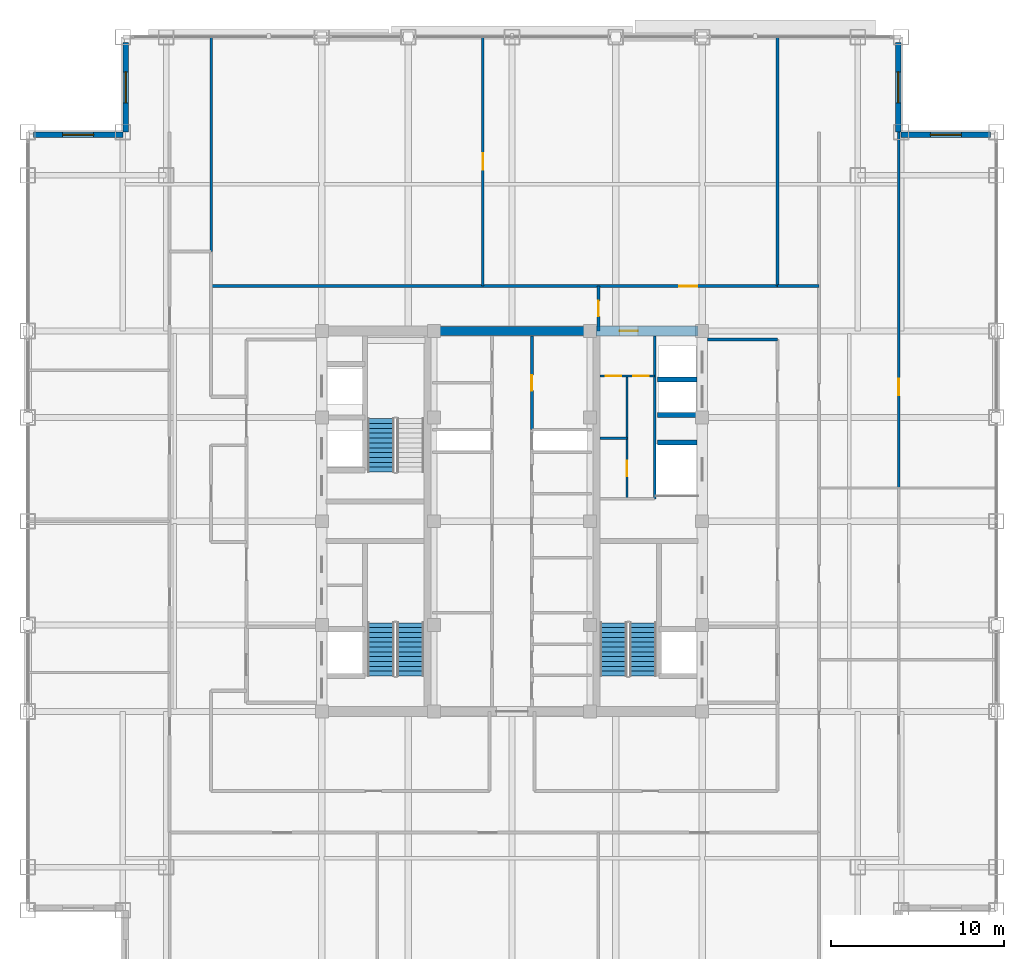
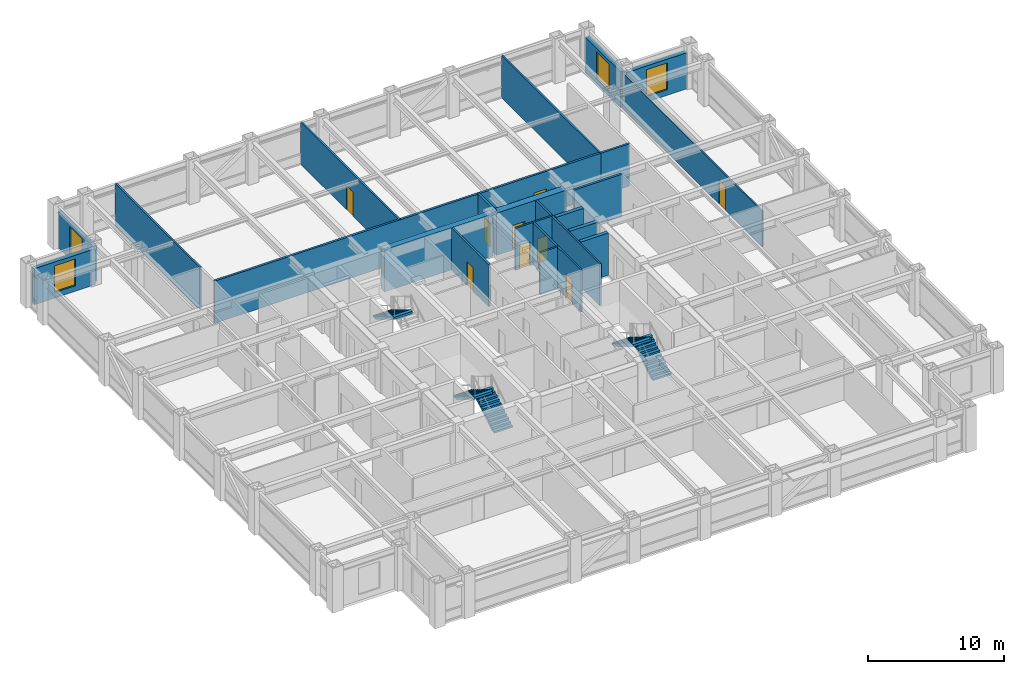
# One storey, part 21 of 27: 22 walls, 9 doors, 5 stair flights, 4 windows, 13 openings, 3 elements without a shape of their own.
"""IFC4 building model written with IfcOpenShell, lengths in metres."""

import ifcopenshell
import ifcopenshell.guid

model = None  # the IFC model being written
_history = None  # IfcOwnerHistory: only IFC2X3 demands one
_inside = {}  # id of a spatial element -> (the spatial element, [elements in it])
_under = {}  # id of a project, library or spatial element -> (it, [spatial elements below it])
_declared = {}  # id of a project -> (the project, [libraries it declares])
_typed = {}  # id of a type object -> (the type object, [elements of that type])
_made_of = {}  # id of a material, layer set ... -> (it, [elements and type objects made of it])


def new_model(schema):
    """Start an empty IFC model of exactly this schema.

    Asked for "IFC4X3", IfcOpenShell would pick the latest addendum, in which some entities
    have other attributes; the version numbers below select the first issue.
    IFC2X3 requires an IfcOwnerHistory on every rooted entity: one is made here for all.
    """
    global model, _history
    if schema == "IFC4X3":
        model = ifcopenshell.file(schema_version=(4, 3, 0, 0))
    else:
        model = ifcopenshell.file(schema=schema)
    _inside.clear()
    _under.clear()
    _declared.clear()
    _typed.clear()
    _made_of.clear()
    _history = None
    if model.schema == "IFC2X3":
        org = make("IfcOrganization", Name="unknown")
        user = make(
            "IfcPersonAndOrganization",
            ThePerson=make("IfcPerson", FamilyName="unknown"),
            TheOrganization=org,
        )
        app = make(
            "IfcApplication",
            ApplicationDeveloper=org,
            Version="unknown",
            ApplicationFullName="unknown",
            ApplicationIdentifier="unknown",
        )
        _history = make(
            "IfcOwnerHistory",
            OwningUser=user,
            OwningApplication=app,
            ChangeAction="ADDED",
            CreationDate=0,
        )
    return model


def make(cls, **values):
    """One entity of the class cls with the attributes given. An attribute that is None is left unset."""
    return model.create_entity(
        cls, **{name: value for name, value in values.items() if value is not None}
    )


def rooted(cls, **values):
    """An entity with a GlobalId (a new one), such as an element, a storey or a relation."""
    return make(cls, GlobalId=ifcopenshell.guid.new(), OwnerHistory=_history, **values)


def si_unit(unit_type, name, prefix=None):
    """IfcSIUnit, for example si_unit("LENGTHUNIT", "METRE", prefix="MILLI")."""
    return make("IfcSIUnit", UnitType=unit_type, Prefix=prefix, Name=name)


def assignment(units):
    """IfcUnitAssignment: the units of a project."""
    return None if units is None else make("IfcUnitAssignment", Units=units)


def point(xyz):
    """IfcCartesianPoint."""
    return None if xyz is None else make("IfcCartesianPoint", Coordinates=xyz)


def direction(xyz):
    """IfcDirection."""
    return None if xyz is None else make("IfcDirection", DirectionRatios=xyz)


def frame(location, z_axis=None, x_axis=None):
    """IfcAxis2Placement3D, a coordinate frame: its origin and axes. An axis left out is left unset."""
    return make(
        "IfcAxis2Placement3D",
        Location=point(location),
        Axis=direction(z_axis),
        RefDirection=direction(x_axis),
    )


def frame_2d(location, x_axis=None):
    """IfcAxis2Placement2D, a coordinate frame in the plane: its origin and x axis."""
    return make(
        "IfcAxis2Placement2D", Location=point(location), RefDirection=direction(x_axis)
    )


def origin():
    """The frame at (0, 0, 0) with its axes left unset."""
    return frame((0.0, 0.0, 0.0))


def place(relative_to, where):
    """IfcLocalPlacement: puts the frame where relative to a parent placement (None: the world)."""
    return make(
        "IfcLocalPlacement", PlacementRelTo=relative_to, RelativePlacement=where
    )


def context(
    kind, dimensions, precision=None, world=None, true_north=None, identifier=None
):
    """IfcGeometricRepresentationContext, for example the 3D "Model" context."""
    return make(
        "IfcGeometricRepresentationContext",
        ContextIdentifier=identifier,
        ContextType=kind,
        CoordinateSpaceDimension=dimensions,
        Precision=precision,
        WorldCoordinateSystem=world,
        TrueNorth=true_north,
    )


def subcontext(parent, identifier, kind, view, scale=None):
    """IfcGeometricRepresentationSubContext, for example "Body" below "Model"."""
    return make(
        "IfcGeometricRepresentationSubContext",
        ContextIdentifier=identifier,
        ContextType=kind,
        ParentContext=parent,
        TargetScale=scale,
        TargetView=view,
    )


def project(units=None, contexts=None):
    """IfcProject with its units and contexts."""
    return rooted(
        "IfcProject",
        Name="project",
        RepresentationContexts=contexts,
        UnitsInContext=assignment(units),
    )


def spatial(cls, under=None, at=None, **own):
    """A site, building, storey or space (cls), placed at a placement, below another one or the project."""
    s = rooted(cls, ObjectPlacement=at, **own)
    if under is not None:
        _under.setdefault(under.id(), (under, []))[1].append(s)
    return s


def polyline(points):
    """IfcPolyline through the points."""
    return make("IfcPolyline", Points=[point(p) for p in points])


def profile(cls, at=None, kind="AREA", **sizes):
    """A parametric profile (cls). Its sizes go by their IFC names, for example OverallWidth=200.0."""
    return make(cls, ProfileType=kind, Position=at, **sizes)


def rectangle(**sizes):
    """IfcRectangleProfileDef."""
    return profile("IfcRectangleProfileDef", **sizes)


def outline(outer, holes=None, kind="AREA"):
    """IfcArbitraryClosedProfileDef: a profile drawn as a closed curve; with holes, ...WithVoids."""
    if holes is None:
        return make("IfcArbitraryClosedProfileDef", ProfileType=kind, OuterCurve=outer)
    return make(
        "IfcArbitraryProfileDefWithVoids",
        ProfileType=kind,
        OuterCurve=outer,
        InnerCurves=holes,
    )


def extrude(swept, where, along, depth):
    """IfcExtrudedAreaSolid: the profile swept, set in the frame where, extruded along a direction by depth."""
    return make(
        "IfcExtrudedAreaSolid",
        SweptArea=swept,
        Position=where,
        ExtrudedDirection=direction(along),
        Depth=depth,
    )


def shape(context_of_items, identifier, shape_type, items):
    """IfcShapeRepresentation: the items that make up one representation, for example the "Body"."""
    return make(
        "IfcShapeRepresentation",
        ContextOfItems=context_of_items,
        RepresentationIdentifier=identifier,
        RepresentationType=shape_type,
        Items=items,
    )


def source(mapping_origin, context_of_items, identifier, shape_type, items):
    """IfcRepresentationMap: a shape defined once, which mapped items show again and again."""
    return make(
        "IfcRepresentationMap",
        MappingOrigin=mapping_origin,
        MappedRepresentation=shape(context_of_items, identifier, shape_type, items),
    )


def transform(
    local_origin,
    x_axis=None,
    y_axis=None,
    z_axis=None,
    scale=None,
    scale2=None,
    scale3=None,
    uniform=True,
):
    """IfcCartesianTransformationOperator3D, or its non-uniform kind. x_axis, y_axis, z_axis: its Axis1, 2, 3."""
    if uniform:
        return make(
            "IfcCartesianTransformationOperator3D",
            Axis1=direction(x_axis),
            Axis2=direction(y_axis),
            LocalOrigin=point(local_origin),
            Scale=scale,
            Axis3=direction(z_axis),
        )
    return make(
        "IfcCartesianTransformationOperator3DnonUniform",
        Axis1=direction(x_axis),
        Axis2=direction(y_axis),
        LocalOrigin=point(local_origin),
        Scale=scale,
        Axis3=direction(z_axis),
        Scale2=scale2,
        Scale3=scale3,
    )


def mapped(mapping_source, mapping_target):
    """IfcMappedItem: shows the shape of a source again, moved by a transform."""
    return make(
        "IfcMappedItem", MappingSource=mapping_source, MappingTarget=mapping_target
    )


def material(Name=None, Category=None):
    """IfcMaterial."""
    return make("IfcMaterial", Name=Name, Category=Category)


def layer(
    of_material, thickness, ventilated=None, Name=None, Category=None, Priority=None
):
    """IfcMaterialLayer: one layer of a wall or slab, of a material (None: an air gap)."""
    return make(
        "IfcMaterialLayer",
        Material=of_material,
        LayerThickness=thickness,
        IsVentilated=ventilated,
        Name=Name,
        Category=Category,
        Priority=Priority,
    )


def layer_set(layers, Name=None):
    """IfcMaterialLayerSet."""
    return make("IfcMaterialLayerSet", MaterialLayers=layers, LayerSetName=Name)


def made_of(thing, what):
    """Note that an element or type object is made of a material, layer set ...; save() writes the relation."""
    if what is not None:
        _made_of.setdefault(what.id(), (what, []))[1].append(thing)
    return thing


def type_object(cls, material=None, **own):
    """A type object (cls), such as IfcWallType, which elements share."""
    return made_of(rooted(cls, **own), material)


def element(
    cls,
    number,
    at=None,
    inside=None,
    cuts=None,
    type_object=None,
    material=None,
    context=None,
    identifier="Body",
    shape_type=None,
    held_by="IfcProductDefinitionShape",
    body=None,
    shapes=None,
    **own,
):
    """One element of the class cls, such as IfcWall. Its Tag is "e" and its number.

    at: its placement. inside: the storey or other place that contains it. cuts: it is an
    opening in that element (IfcRelVoidsElement). A single representation is given by context,
    identifier, shape_type and body (its items); several are given by shapes. held_by: the class
    of the entity that holds the representations. save() writes the other relations.
    """
    e = rooted(cls, Tag="e%d" % number, ObjectPlacement=at, **own)
    if body is not None:
        shapes = [shape(context, identifier, shape_type, body)]
    if shapes is not None:
        e.Representation = make(held_by, Representations=shapes)
    if inside is not None:
        _inside.setdefault(inside.id(), (inside, []))[1].append(e)
    if cuts is not None:
        rooted(
            "IfcRelVoidsElement", RelatingBuildingElement=cuts, RelatedOpeningElement=e
        )
    if type_object is not None:
        _typed.setdefault(type_object.id(), (type_object, []))[1].append(e)
    return made_of(e, material)


def fill(opening, filler):
    """IfcRelFillsElement: the door or window that sits in an opening."""
    return rooted(
        "IfcRelFillsElement",
        RelatingOpeningElement=opening,
        RelatedBuildingElement=filler,
    )


def aggregate(whole, parts):
    """IfcRelAggregates: a whole, such as a stair, and the parts it consists of."""
    return rooted("IfcRelAggregates", RelatingObject=whole, RelatedObjects=parts)


def save(model, path):
    """Write the relations noted so far, then the file.

    IfcRelAggregates (storeys below a building ...), IfcRelContainedInSpatialStructure (elements
    in a storey), IfcRelDefinesByType, IfcRelAssociatesMaterial and IfcRelDeclares: one each for
    every whole, place, type object, material and project.
    """
    for whole, parts in _under.values():
        aggregate(whole, parts)
    for where, things in _inside.values():
        rooted(
            "IfcRelContainedInSpatialStructure",
            RelatedElements=things,
            RelatingStructure=where,
        )
    for kind, things in _typed.values():
        rooted("IfcRelDefinesByType", RelatedObjects=things, RelatingType=kind)
    for what, things in _made_of.values():
        rooted("IfcRelAssociatesMaterial", RelatedObjects=things, RelatingMaterial=what)
    for by, libraries in _declared.values():
        rooted("IfcRelDeclares", RelatingContext=by, RelatedDefinitions=libraries)
    model.write(path)


model = new_model("IFC4")

# Units and contexts
model_context = context("Model", 3, precision=1e-05, world=origin(), true_north=direction((0.0, 1.0)))
body_context = subcontext(model_context, "Body", "Model", "MODEL_VIEW")
ifc_project = project(units=[si_unit("LENGTHUNIT", "METRE"), si_unit("AREAUNIT", "SQUARE_METRE"), si_unit("VOLUMEUNIT", "CUBIC_METRE"), si_unit("PLANEANGLEUNIT", "RADIAN"), si_unit("MASSUNIT", "GRAM", prefix="KILO")], contexts=[model_context])

# Site, building, storey
site_placement = place(None, origin())
site = spatial("IfcSite", under=ifc_project, at=site_placement, CompositionType="ELEMENT")
building_placement = place(site_placement, origin())
building = spatial("IfcBuilding", under=site, at=building_placement, Name="Khorayat Bourse Tower", CompositionType="ELEMENT")
storey_placement = place(building_placement, frame((0.0, 0.0, 313.5)))
storey = spatial("IfcBuildingStorey", under=building, at=storey_placement, Name="L74", CompositionType="ELEMENT", Elevation=313.5)

# Wall, opening, door
ifc_material_1 = material(Name="Concrete C60/75", Category="concrete")
ifc_layer_1 = layer(ifc_material_1, 0.60009765625)
ifc_layer_set_1 = layer_set([ifc_layer_1], Name="Concrete C60/75")
wall_type_1 = type_object("IfcWallType", Name="WAL-CORE-600", PredefinedType="SHEAR", material=ifc_layer_set_1)
shared_shape_1 = source(origin(), body_context, "Body", "SweptSolid", [
    extrude(rectangle(XDim=5.89990234375, YDim=0.60009765625, at=frame_2d((2.949951171875, 0.0))), origin(), (0.0, 0.0, 1.0), 3.780029296875),
])
wall_1_placement = place(storey_placement, frame((4.85009765625, 11.0, 0.0), z_axis=(0.0, 0.0, 1.0), x_axis=(1.0, 0.0, 0.0)))
wall_1 = element("IfcWall", 1, at=wall_1_placement, inside=storey, type_object=wall_type_1, Name="L74 Core Shear Wall PIER-EN", PredefinedType="SHEAR", context=body_context, shape_type="MappedRepresentation", body=[
    mapped(shared_shape_1, transform((0.0, 0.0, 0.0), scale=1.0)),
])
shared_shape_2 = source(origin(), body_context, "Body", "SweptSolid", [
    extrude(rectangle(XDim=1.050048828125, YDim=2.199951171875, at=frame_2d((0.52490234375, 1.10009765625))), frame((0.0, 0.31005859375, 0.0), z_axis=(0.0, -1.0, 0.0), x_axis=(1.0, 0.0, 0.0)), (0.0, 0.0, 1.0), 0.6201171875),
])
opening_1_placement = place(wall_1_placement, frame((1.375, 0.0, 0.0)))
opening_1 = element("IfcOpeningElement", 2, at=opening_1_placement, cuts=wall_1, Name="Opening DI-04", PredefinedType="OPENING", context=body_context, shape_type="MappedRepresentation", body=[
    mapped(shared_shape_2, transform((0.0, 0.0, 0.0), scale=1.0)),
])
ifc_material_2 = material(Name="Fire-rated oak veneer suite entrance door")
door_type_1 = type_object("IfcDoorType", Name="DR-INT-SUITE-1050", OperationType="NOTDEFINED", PredefinedType="DOOR", material=ifc_material_2)
shared_shape_3 = source(origin(), body_context, "Body", "SweptSolid", [
    extrude(rectangle(XDim=1.050048828125, YDim=2.199951171875, at=frame_2d((0.52490234375, 1.10009765625))), frame((0.0, 0.02490234375, 0.0), z_axis=(0.0, -1.0, 0.0), x_axis=(1.0, 0.0, 0.0)), (0.0, 0.0, 1.0), 0.050048828125),
])
door_1_placement = place(opening_1_placement, origin())
door_1 = element("IfcDoor", 3, at=door_1_placement, inside=storey, type_object=door_type_1, Name="L74 Core Washroom Lobby Door", OperationType="SINGLE_SWING_LEFT", OverallHeight=2.199951171875, OverallWidth=1.050048828125, PredefinedType="DOOR", context=body_context, shape_type="MappedRepresentation", body=[
    mapped(shared_shape_3, transform((0.0, 0.0, 0.0), scale=1.0)),
])
fill(opening_1, door_1)

# Wall
ifc_material_3 = material(Name="Concrete C52/65", Category="concrete")
ifc_layer_2 = layer(ifc_material_3, 0.5)
ifc_layer_set_2 = layer_set([ifc_layer_2], Name="Concrete C52/65")
wall_type_2 = type_object("IfcWallType", Name="WAL-CORE-500", PredefinedType="SHEAR", material=ifc_layer_set_2)
shared_shape_4 = source(origin(), body_context, "Body", "SweptSolid", [
    extrude(rectangle(XDim=9.2001953125, YDim=0.5, at=frame_2d((4.60009765625, 0.0))), origin(), (0.0, 0.0, 1.0), 3.780029296875),
])
wall_2_placement = place(storey_placement, frame((-4.60009765625, 11.0, 0.0), z_axis=(0.0, 0.0, 1.0), x_axis=(1.0, 0.0, 0.0)))
element("IfcWall", 4, at=wall_2_placement, inside=storey, type_object=wall_type_2, Name="L74 Core Shear Wall CORE-N", PredefinedType="SHEAR", context=body_context, shape_type="MappedRepresentation", body=[
    mapped(shared_shape_4, transform((0.0, 0.0, 0.0), scale=1.0)),
])

# Wall, opening, window
ifc_material_4 = material(Name="Precast concrete C45/55", Category="concrete")
ifc_layer_3 = layer(ifc_material_4, 0.320068359375)
ifc_layer_set_3 = layer_set([ifc_layer_3], Name="Precast concrete C45/55")
wall_type_3 = type_object("IfcWallType", Name="WAL-EXT-STONE-320", PredefinedType="STANDARD", material=ifc_layer_set_3)
shared_shape_5 = source(origin(), body_context, "Body", "SweptSolid", [
    extrude(rectangle(XDim=5.179931640625, YDim=0.320068359375, at=frame_2d((2.58984375, 0.0))), origin(), (0.0, 0.0, 1.0), 3.23095703125),
])
wall_3_placement = place(storey_placement, frame((22.5, 22.340087890625, 0.0), z_axis=(0.0, 0.0, 1.0), x_axis=(1.0, 0.0, 0.0)))
wall_3 = element("IfcWall", 5, at=wall_3_placement, inside=storey, type_object=wall_type_3, Name="L74 Re-Entrant Notch Limestone Wall NE-H", PredefinedType="STANDARD", context=body_context, shape_type="MappedRepresentation", body=[
    mapped(shared_shape_5, transform((0.0, 0.0, 0.0), scale=1.0)),
])
shared_shape_6 = source(origin(), body_context, "Body", "SweptSolid", [
    extrude(rectangle(XDim=1.800048828125, YDim=2.39990234375, at=frame_2d((0.89990234375, 1.199951171875))), frame((0.0, 0.169921875, 0.0), z_axis=(0.0, -1.0, 0.0), x_axis=(1.0, 0.0, 0.0)), (0.0, 0.0, 1.0), 0.340087890625),
])
opening_2_placement = place(wall_3_placement, frame((1.68994140625, 0.0, 0.5)))
opening_2 = element("IfcOpeningElement", 6, at=opening_2_placement, cuts=wall_3, Name="Opening WN-04", PredefinedType="OPENING", context=body_context, shape_type="MappedRepresentation", body=[
    mapped(shared_shape_6, transform((0.0, 0.0, 0.0), scale=1.0)),
])
ifc_material_5 = material(Name="Low-E acoustic laminated double glazing", Category="glass")
window_type = type_object("IfcWindowType", Name="WIN-NOTCH-1800x2400", PartitioningType="SINGLE_PANEL", PredefinedType="WINDOW", material=ifc_material_5)
shared_shape_7 = source(origin(), body_context, "Body", "SweptSolid", [
    extrude(rectangle(XDim=1.800048828125, YDim=2.39990234375, at=frame_2d((0.89990234375, 1.199951171875))), frame((0.0, 0.030029296875, 0.0), z_axis=(0.0, -1.0, 0.0), x_axis=(1.0, 0.0, 0.0)), (0.0, 0.0, 1.0), 0.06005859375),
])
window_1_placement = place(opening_2_placement, origin())
window_1 = element("IfcWindow", 7, at=window_1_placement, inside=storey, type_object=window_type, Name="L74 Facade Window 1", OverallHeight=2.39990234375, OverallWidth=1.800048828125, PartitioningType="SINGLE_PANEL", PredefinedType="WINDOW", context=body_context, shape_type="MappedRepresentation", body=[
    mapped(shared_shape_7, transform((0.0, 0.0, 0.0), scale=1.0)),
])
fill(opening_2, window_1)

wall_4_placement = place(storey_placement, frame((22.340087890625, 22.5, 0.0), z_axis=(0.0, 0.0, 1.0), x_axis=(0.0, 1.0, 0.0)))
wall_4 = element("IfcWall", 8, at=wall_4_placement, inside=storey, type_object=wall_type_3, Name="L74 Re-Entrant Notch Limestone Wall NE-V", PredefinedType="STANDARD", context=body_context, shape_type="MappedRepresentation", body=[
    mapped(shared_shape_5, transform((0.0, 0.0, 0.0), scale=1.0)),
])
opening_3_placement = place(wall_4_placement, frame((1.68994140625, 0.0, 0.5)))
opening_3 = element("IfcOpeningElement", 9, at=opening_3_placement, cuts=wall_4, Name="Opening WN-04", PredefinedType="OPENING", context=body_context, shape_type="MappedRepresentation", body=[
    mapped(shared_shape_6, transform((0.0, 0.0, 0.0), scale=1.0)),
])
window_2_placement = place(opening_3_placement, origin())
window_2 = element("IfcWindow", 10, at=window_2_placement, inside=storey, type_object=window_type, Name="L74 Facade Window 1", OverallHeight=2.39990234375, OverallWidth=1.800048828125, PartitioningType="SINGLE_PANEL", PredefinedType="WINDOW", context=body_context, shape_type="MappedRepresentation", body=[
    mapped(shared_shape_7, transform((0.0, 0.0, 0.0), scale=1.0)),
])
fill(opening_3, window_2)

wall_5_placement = place(storey_placement, frame((-22.340087890625, 22.5, 0.0), z_axis=(0.0, 0.0, 1.0), x_axis=(0.0, 1.0, 0.0)))
wall_5 = element("IfcWall", 11, at=wall_5_placement, inside=storey, type_object=wall_type_3, Name="L74 Re-Entrant Notch Limestone Wall NW-V", PredefinedType="STANDARD", context=body_context, shape_type="MappedRepresentation", body=[
    mapped(shared_shape_5, transform((0.0, 0.0, 0.0), scale=1.0)),
])
opening_4_placement = place(wall_5_placement, frame((1.68994140625, 0.0, 0.5)))
opening_4 = element("IfcOpeningElement", 12, at=opening_4_placement, cuts=wall_5, Name="Opening WN-04", PredefinedType="OPENING", context=body_context, shape_type="MappedRepresentation", body=[
    mapped(shared_shape_6, transform((0.0, 0.0, 0.0), scale=1.0)),
])
window_3_placement = place(opening_4_placement, origin())
window_3 = element("IfcWindow", 13, at=window_3_placement, inside=storey, type_object=window_type, Name="L74 Facade Window 1", OverallHeight=2.39990234375, OverallWidth=1.800048828125, PartitioningType="SINGLE_PANEL", PredefinedType="WINDOW", context=body_context, shape_type="MappedRepresentation", body=[
    mapped(shared_shape_7, transform((0.0, 0.0, 0.0), scale=1.0)),
])
fill(opening_4, window_3)

wall_6_placement = place(storey_placement, frame((-22.5, 22.340087890625, 0.0), z_axis=(0.0, 0.0, 1.0), x_axis=(-1.0, 0.0, 0.0)))
wall_6 = element("IfcWall", 14, at=wall_6_placement, inside=storey, type_object=wall_type_3, Name="L74 Re-Entrant Notch Limestone Wall NW-H", PredefinedType="STANDARD", context=body_context, shape_type="MappedRepresentation", body=[
    mapped(shared_shape_5, transform((0.0, 0.0, 0.0), scale=1.0)),
])
opening_5_placement = place(wall_6_placement, frame((1.68994140625, 0.0, 0.5)))
opening_5 = element("IfcOpeningElement", 15, at=opening_5_placement, cuts=wall_6, Name="Opening WN-04", PredefinedType="OPENING", context=body_context, shape_type="MappedRepresentation", body=[
    mapped(shared_shape_6, transform((0.0, 0.0, 0.0), scale=1.0)),
])
window_4_placement = place(opening_5_placement, origin())
window_4 = element("IfcWindow", 16, at=window_4_placement, inside=storey, type_object=window_type, Name="L74 Facade Window 1", OverallHeight=2.39990234375, OverallWidth=1.800048828125, PartitioningType="SINGLE_PANEL", PredefinedType="WINDOW", context=body_context, shape_type="MappedRepresentation", body=[
    mapped(shared_shape_7, transform((0.0, 0.0, 0.0), scale=1.0)),
])
fill(opening_5, window_4)

# Walls
ifc_material_6 = material(Name="Concrete C50/60", Category="concrete")
ifc_layer_4 = layer(ifc_material_6, 0.300048828125)
ifc_layer_set_4 = layer_set([ifc_layer_4], Name="Concrete C50/60")
wall_type_4 = type_object("IfcWallType", Name="WAL-SHAFT-300", PredefinedType="SHEAR", material=ifc_layer_set_4)
shared_shape_8 = source(origin(), body_context, "Body", "SweptSolid", [
    extrude(rectangle(XDim=2.300048828125, YDim=0.300048828125, at=frame_2d((1.14990234375, 0.0))), origin(), (0.0, 0.0, 1.0), 3.780029296875),
])
for number, where, z_axis, x_axis, name in (
    (17, (8.39990234375, 4.550048828125, 0.0), (0.0, 0.0, 1.0), (1.0, 0.0, 0.0), "L74 Partition WAL-L74-EPIER-SVLN"),
    (18, (8.39990234375, 6.14990234375, 0.0), (0.0, 0.0, 1.0), (1.0, 0.0, 0.0), "L74 Partition WAL-L74-EPIER-H3S"),
    (19, (8.39990234375, 8.199951171875, 0.0), (0.0, 0.0, 1.0), (1.0, 0.0, 0.0), "L74 Partition WAL-L74-EPIER-H34"),
):
    element("IfcWall", number, at=place(storey_placement, frame(where, z_axis=z_axis, x_axis=x_axis)), inside=storey, type_object=wall_type_4, Name=name, PredefinedType="SHEAR", context=body_context, shape_type="MappedRepresentation", body=[
        mapped(shared_shape_8, transform((0.0, 0.0, 0.0), scale=1.0)),
    ])
ifc_material_7 = material(Name="Moisture-resistant masonry partition", Category="masonry")
ifc_layer_5 = layer(ifc_material_7, 0.139892578125)
ifc_layer_set_5 = layer_set([ifc_layer_5], Name="Moisture-resistant masonry partition")
wall_type_5 = type_object("IfcWallType", Name="WAL-PART-WET-140", PredefinedType="PARTITIONING", material=ifc_layer_set_5)
shared_shape_9 = source(origin(), body_context, "Body", "SweptSolid", [
    extrude(rectangle(XDim=9.39990234375, YDim=0.139892578125, at=frame_2d((4.699951171875, 0.0))), origin(), (0.0, 0.0, 1.0), 3.780029296875),
])
wall_7_placement = place(storey_placement, frame((8.25, 1.300048828125, 0.0), z_axis=(0.0, 0.0, 1.0), x_axis=(0.0, 1.0, 0.0)))
element("IfcWall", 20, at=wall_7_placement, inside=storey, type_object=wall_type_5, Name="L74 Partition WAL-L74-ECORE-E", PredefinedType="PARTITIONING", context=body_context, shape_type="MappedRepresentation", body=[
    mapped(shared_shape_9, transform((0.0, 0.0, 0.0), scale=1.0)),
])

# Wall, openings, doors
shared_shape_10 = source(origin(), body_context, "Body", "SweptSolid", [
    extrude(rectangle(XDim=3.14990234375, YDim=0.139892578125, at=frame_2d((1.574951171875, 0.0))), origin(), (0.0, 0.0, 1.0), 3.780029296875),
])
wall_8_placement = place(storey_placement, frame((5.10009765625, 8.39990234375, 0.0), z_axis=(0.0, 0.0, 1.0), x_axis=(1.0, 0.0, 0.0)))
wall_8 = element("IfcWall", 21, at=wall_8_placement, inside=storey, type_object=wall_type_5, Name="L74 Partition WAL-L74-ECW-TOP", PredefinedType="PARTITIONING", context=body_context, shape_type="MappedRepresentation", body=[
    mapped(shared_shape_10, transform((0.0, 0.0, 0.0), scale=1.0)),
])
shared_shape_11 = source(origin(), body_context, "Body", "SweptSolid", [
    extrude(rectangle(XDim=0.89990234375, YDim=2.14990234375, at=frame_2d((0.449951171875, 1.074951171875))), frame((0.0, 0.079833984375, 0.0), z_axis=(0.0, -1.0, 0.0), x_axis=(1.0, 0.0, 0.0)), (0.0, 0.0, 1.0), 0.159912109375),
])
opening_6_placement = place(wall_8_placement, frame((0.330078125, 0.0, 0.0)))
opening_6 = element("IfcOpeningElement", 22, at=opening_6_placement, cuts=wall_8, Name="Opening DI-06", PredefinedType="OPENING", context=body_context, shape_type="MappedRepresentation", body=[
    mapped(shared_shape_11, transform((0.0, 0.0, 0.0), scale=1.0)),
])
opening_7_placement = place(wall_8_placement, frame((1.89990234375, 0.0, 0.0)))
opening_7 = element("IfcOpeningElement", 23, at=opening_7_placement, cuts=wall_8, Name="Opening DI-06", PredefinedType="OPENING", context=body_context, shape_type="MappedRepresentation", body=[
    mapped(shared_shape_11, transform((0.0, 0.0, 0.0), scale=1.0)),
])
ifc_material_8 = material(Name="Moisture-resistant laminate washroom door")
door_type_2 = type_object("IfcDoorType", Name="DR-INT-WC-900", OperationType="NOTDEFINED", PredefinedType="DOOR", material=ifc_material_8)
shared_shape_12 = source(origin(), body_context, "Body", "SweptSolid", [
    extrude(rectangle(XDim=0.89990234375, YDim=2.14990234375, at=frame_2d((0.449951171875, 1.074951171875))), frame((0.0, 0.02490234375, 0.0), z_axis=(0.0, -1.0, 0.0), x_axis=(1.0, 0.0, 0.0)), (0.0, 0.0, 1.0), 0.050048828125),
])
door_2_placement = place(opening_6_placement, origin())
door_2 = element("IfcDoor", 24, at=door_2_placement, inside=storey, type_object=door_type_2, Name="L74 Accessible WC Door", OperationType="SINGLE_SWING_LEFT", OverallHeight=2.14990234375, OverallWidth=0.89990234375, PredefinedType="DOOR", context=body_context, shape_type="MappedRepresentation", body=[
    mapped(shared_shape_12, transform((0.0, 0.0, 0.0), scale=1.0)),
])
fill(opening_6, door_2)
door_3_placement = place(opening_7_placement, origin())
door_3 = element("IfcDoor", 25, at=door_3_placement, inside=storey, type_object=door_type_2, Name="L74 Shared Washroom Door", OperationType="SINGLE_SWING_RIGHT", OverallHeight=2.14990234375, OverallWidth=0.89990234375, PredefinedType="DOOR", context=body_context, shape_type="MappedRepresentation", body=[
    mapped(shared_shape_12, transform((0.0, 0.0, 0.0), scale=1.0)),
])
fill(opening_7, door_3)

# Wall, opening, door
shared_shape_13 = source(origin(), body_context, "Body", "SweptSolid", [
    extrude(rectangle(XDim=7.099853515625, YDim=0.139892578125, at=frame_2d((3.5498046875, 0.0))), origin(), (0.0, 0.0, 1.0), 3.780029296875),
])
wall_9_placement = place(storey_placement, frame((6.64990234375, 1.300048828125, 0.0), z_axis=(0.0, 0.0, 1.0), x_axis=(0.0, 1.0, 0.0)))
wall_9 = element("IfcWall", 26, at=wall_9_placement, inside=storey, type_object=wall_type_5, Name="L74 Partition WAL-L74-ECW-MID", PredefinedType="PARTITIONING", context=body_context, shape_type="MappedRepresentation", body=[
    mapped(shared_shape_13, transform((0.0, 0.0, 0.0), scale=1.0)),
])
opening_8_placement = place(wall_9_placement, frame((1.300048828125, 0.0, 0.0)))
opening_8 = element("IfcOpeningElement", 27, at=opening_8_placement, cuts=wall_9, Name="Opening DI-06", PredefinedType="OPENING", context=body_context, shape_type="MappedRepresentation", body=[
    mapped(shared_shape_11, transform((0.0, 0.0, 0.0), scale=1.0)),
])
door_4_placement = place(opening_8_placement, origin())
door_4 = element("IfcDoor", 28, at=door_4_placement, inside=storey, type_object=door_type_2, Name="L74 Janitor Store Door", OperationType="SINGLE_SWING_LEFT", OverallHeight=2.14990234375, OverallWidth=0.89990234375, PredefinedType="DOOR", context=body_context, shape_type="MappedRepresentation", body=[
    mapped(shared_shape_12, transform((0.0, 0.0, 0.0), scale=1.0)),
])
fill(opening_8, door_4)

# Walls
shared_shape_14 = source(origin(), body_context, "Body", "SweptSolid", [
    extrude(rectangle(XDim=1.5498046875, YDim=0.139892578125, at=frame_2d((0.77490234375, 0.0))), origin(), (0.0, 0.0, 1.0), 3.780029296875),
])
wall_10_placement = place(storey_placement, frame((5.10009765625, 4.800048828125, 0.0), z_axis=(0.0, 0.0, 1.0), x_axis=(1.0, 0.0, 0.0)))
element("IfcWall", 29, at=wall_10_placement, inside=storey, type_object=wall_type_5, Name="L74 Partition WAL-L74-ECW-BOT", PredefinedType="PARTITIONING", context=body_context, shape_type="MappedRepresentation", body=[
    mapped(shared_shape_14, transform((0.0, 0.0, 0.0), scale=1.0)),
])
ifc_material_9 = material(Name="Gypsum plasterboard acoustic stud wall")
ifc_layer_6 = layer(ifc_material_9, 0.179931640625)
ifc_layer_set_6 = layer_set([ifc_layer_6], Name="Gypsum plasterboard acoustic stud wall")
wall_type_6 = type_object("IfcWallType", Name="WAL-PART-CORR-180", PredefinedType="PARTITIONING", material=ifc_layer_set_6)
shared_shape_15 = source(origin(), body_context, "Body", "SweptSolid", [
    extrude(rectangle(XDim=4.050048828125, YDim=0.179931640625, at=frame_2d((2.02490234375, 0.0))), origin(), (0.0, 0.0, 1.0), 3.780029296875),
])
wall_11_placement = place(storey_placement, frame((11.300048828125, 10.5, 0.0), z_axis=(0.0, 0.0, 1.0), x_axis=(1.0, 0.0, 0.0)))
element("IfcWall", 30, at=wall_11_placement, inside=storey, type_object=wall_type_6, Name="L74 Partition WAL-L74-ELOB-N", PredefinedType="PARTITIONING", context=body_context, shape_type="MappedRepresentation", body=[
    mapped(shared_shape_15, transform((0.0, 0.0, 0.0), scale=1.0)),
])

# Wall, opening, door
shared_shape_16 = source(origin(), body_context, "Body", "SweptSolid", [
    extrude(rectangle(XDim=5.39990234375, YDim=0.179931640625, at=frame_2d((2.699951171875, 0.0))), origin(), (0.0, 0.0, 1.0), 3.780029296875),
])
wall_12_placement = place(storey_placement, frame((1.14990234375, 5.300048828125, 0.0), z_axis=(0.0, 0.0, 1.0), x_axis=(0.0, 1.0, 0.0)))
wall_12 = element("IfcWall", 31, at=wall_12_placement, inside=storey, type_object=wall_type_6, Name="L74 Partition WAL-L74-FB2E-L", PredefinedType="PARTITIONING", context=body_context, shape_type="MappedRepresentation", body=[
    mapped(shared_shape_16, transform((0.0, 0.0, 0.0), scale=1.0)),
])
shared_shape_17 = source(origin(), body_context, "Body", "SweptSolid", [
    extrude(rectangle(XDim=0.89990234375, YDim=2.14990234375, at=frame_2d((0.449951171875, 1.074951171875))), frame((0.0, 0.099853515625, 0.0), z_axis=(0.0, -1.0, 0.0), x_axis=(1.0, 0.0, 0.0)), (0.0, 0.0, 1.0), 0.199951171875),
])
opening_9_placement = place(wall_12_placement, frame((2.25, 0.0, 0.0)))
opening_9 = element("IfcOpeningElement", 32, at=opening_9_placement, cuts=wall_12, Name="Opening DI-06", PredefinedType="OPENING", context=body_context, shape_type="MappedRepresentation", body=[
    mapped(shared_shape_17, transform((0.0, 0.0, 0.0), scale=1.0)),
])
door_5_placement = place(opening_9_placement, origin())
door_5 = element("IfcDoor", 33, at=door_5_placement, inside=storey, type_object=door_type_2, Name="L74 High-Rise Archive Store Door", OperationType="SINGLE_SWING_RIGHT", OverallHeight=2.14990234375, OverallWidth=0.89990234375, PredefinedType="DOOR", context=body_context, shape_type="MappedRepresentation", body=[
    mapped(shared_shape_12, transform((0.0, 0.0, 0.0), scale=1.0)),
])
fill(opening_9, door_5)

shared_shape_18 = source(origin(), body_context, "Body", "SweptSolid", [
    extrude(rectangle(XDim=2.60009765625, YDim=0.179931640625, at=frame_2d((1.300048828125, 0.0))), origin(), (0.0, 0.0, 1.0), 3.780029296875),
])
wall_13_placement = place(storey_placement, frame((5.0, 11.0, 0.0), z_axis=(0.0, 0.0, 1.0), x_axis=(0.0, 1.0, 0.0)))
wall_13 = element("IfcWall", 34, at=wall_13_placement, inside=storey, type_object=wall_type_6, Name="L74 Partition WAL-L74-CORRNE-W", PredefinedType="PARTITIONING", context=body_context, shape_type="MappedRepresentation", body=[
    mapped(shared_shape_18, transform((0.0, 0.0, 0.0), scale=1.0)),
])
opening_10_placement = place(wall_13_placement, frame((0.85009765625, 0.0, 0.0)))
opening_10 = element("IfcOpeningElement", 35, at=opening_10_placement, cuts=wall_13, Name="Opening DI-06", PredefinedType="OPENING", context=body_context, shape_type="MappedRepresentation", body=[
    mapped(shared_shape_17, transform((0.0, 0.0, 0.0), scale=1.0)),
])
door_6_placement = place(opening_10_placement, origin())
door_6 = element("IfcDoor", 36, at=door_6_placement, inside=storey, type_object=door_type_2, Name="L74 North Core Pantry Door", OperationType="SINGLE_SWING_LEFT", OverallHeight=2.14990234375, OverallWidth=0.89990234375, PredefinedType="DOOR", context=body_context, shape_type="MappedRepresentation", body=[
    mapped(shared_shape_12, transform((0.0, 0.0, 0.0), scale=1.0)),
])
fill(opening_10, door_6)

# Wall
shared_shape_19 = source(origin(), body_context, "Body", "SweptSolid", [
    extrude(rectangle(XDim=2.39990234375, YDim=0.179931640625, at=frame_2d((1.199951171875, 0.0))), origin(), (0.0, 0.0, 1.0), 3.780029296875),
])
wall_14_placement = place(storey_placement, frame((15.35009765625, 13.60009765625, 0.0), z_axis=(0.0, 0.0, 1.0), x_axis=(1.0, 0.0, 0.0)))
element("IfcWall", 37, at=wall_14_placement, inside=storey, type_object=wall_type_6, Name="L74 Partition WAL-L74-GALE-N", PredefinedType="PARTITIONING", context=body_context, shape_type="MappedRepresentation", body=[
    mapped(shared_shape_19, transform((0.0, 0.0, 0.0), scale=1.0)),
])

# Wall, opening, door
shared_shape_20 = source(origin(), body_context, "Body", "SweptSolid", [
    extrude(rectangle(XDim=32.75, YDim=0.179931640625, at=frame_2d((16.375, 0.0))), origin(), (0.0, 0.0, 1.0), 3.780029296875),
])
wall_15_placement = place(storey_placement, frame((-17.39990234375, 13.60009765625, 0.0), z_axis=(0.0, 0.0, 1.0), x_axis=(1.0, 0.0, 0.0)))
wall_15 = element("IfcWall", 38, at=wall_15_placement, inside=storey, type_object=wall_type_6, Name="L74 Partition WAL-L74-NCORR", PredefinedType="PARTITIONING", context=body_context, shape_type="MappedRepresentation", body=[
    mapped(shared_shape_20, transform((0.0, 0.0, 0.0), scale=1.0)),
])
shared_shape_21 = source(origin(), body_context, "Body", "SweptSolid", [
    extrude(rectangle(XDim=1.050048828125, YDim=2.199951171875, at=frame_2d((0.52490234375, 1.10009765625))), frame((0.0, 0.099853515625, 0.0), z_axis=(0.0, -1.0, 0.0), x_axis=(1.0, 0.0, 0.0)), (0.0, 0.0, 1.0), 0.199951171875),
])
opening_11_placement = place(wall_15_placement, frame((27.074951171875, 0.0, 0.0)))
opening_11 = element("IfcOpeningElement", 39, at=opening_11_placement, cuts=wall_15, Name="Opening DI-04", PredefinedType="OPENING", context=body_context, shape_type="MappedRepresentation", body=[
    mapped(shared_shape_21, transform((0.0, 0.0, 0.0), scale=1.0)),
])
door_7_placement = place(opening_11_placement, origin())
door_7 = element("IfcDoor", 40, at=door_7_placement, inside=storey, type_object=door_type_1, Name="L74 Executive Boardroom N2 Door", OperationType="SINGLE_SWING_LEFT", OverallHeight=2.199951171875, OverallWidth=1.050048828125, PredefinedType="DOOR", context=body_context, shape_type="MappedRepresentation", body=[
    mapped(shared_shape_3, transform((0.0, 0.0, 0.0), scale=1.0)),
])
fill(opening_11, door_7)

# Wall
ifc_material_10 = material(Name="Gypsum plasterboard twin-frame partition")
ifc_layer_7 = layer(ifc_material_10, 0.14990234375)
ifc_layer_set_7 = layer_set([ifc_layer_7], Name="Gypsum plasterboard twin-frame partition")
wall_type_7 = type_object("IfcWallType", Name="WAL-PART-SUITE-150", PredefinedType="PARTITIONING", material=ifc_layer_set_7)
shared_shape_22 = source(origin(), body_context, "Body", "SweptSolid", [
    extrude(rectangle(XDim=12.39990234375, YDim=0.14990234375, at=frame_2d((6.199951171875, 0.0))), origin(), (0.0, 0.0, 1.0), 3.780029296875),
])
wall_16_placement = place(storey_placement, frame((-17.39990234375, 15.60009765625, 0.0), z_axis=(0.0, 0.0, 1.0), x_axis=(0.0, 1.0, 0.0)))
element("IfcWall", 41, at=wall_16_placement, inside=storey, type_object=wall_type_7, Name="L74 Partition WAL-L74-NCW-END", PredefinedType="PARTITIONING", context=body_context, shape_type="MappedRepresentation", body=[
    mapped(shared_shape_22, transform((0.0, 0.0, 0.0), scale=1.0)),
])

# Wall, opening, door
shared_shape_23 = source(origin(), body_context, "Body", "SweptSolid", [
    extrude(rectangle(XDim=14.39990234375, YDim=0.14990234375, at=frame_2d((7.199951171875, 0.0))), origin(), (0.0, 0.0, 1.0), 3.780029296875),
])
wall_17_placement = place(storey_placement, frame((-1.679931640625, 13.60009765625, 0.0), z_axis=(0.0, 0.0, 1.0), x_axis=(0.0, 1.0, 0.0)))
wall_17 = element("IfcWall", 42, at=wall_17_placement, inside=storey, type_object=wall_type_7, Name="L74 Partition WAL-L74-NDV-1", PredefinedType="PARTITIONING", context=body_context, shape_type="MappedRepresentation", body=[
    mapped(shared_shape_23, transform((0.0, 0.0, 0.0), scale=1.0)),
])
shared_shape_24 = source(origin(), body_context, "Body", "SweptSolid", [
    extrude(rectangle(XDim=0.949951171875, YDim=2.14990234375, at=frame_2d((0.47509765625, 1.074951171875))), frame((0.0, 0.0849609375, 0.0), z_axis=(0.0, -1.0, 0.0), x_axis=(1.0, 0.0, 0.0)), (0.0, 0.0, 1.0), 0.169921875),
])
opening_12_placement = place(wall_17_placement, frame((6.72509765625, 0.0, 0.0)))
opening_12 = element("IfcOpeningElement", 43, at=opening_12_placement, cuts=wall_17, Name="Opening DI-05", PredefinedType="OPENING", context=body_context, shape_type="MappedRepresentation", body=[
    mapped(shared_shape_24, transform((0.0, 0.0, 0.0), scale=1.0)),
])
ifc_material_11 = material(Name="Acoustic oak veneer office door")
door_type_3 = type_object("IfcDoorType", Name="DR-INT-OFFICE-950", OperationType="NOTDEFINED", PredefinedType="DOOR", material=ifc_material_11)
shared_shape_25 = source(origin(), body_context, "Body", "SweptSolid", [
    extrude(rectangle(XDim=0.949951171875, YDim=2.14990234375, at=frame_2d((0.47509765625, 1.074951171875))), frame((0.0, 0.02490234375, 0.0), z_axis=(0.0, -1.0, 0.0), x_axis=(1.0, 0.0, 0.0)), (0.0, 0.0, 1.0), 0.050048828125),
])
door_8_placement = place(opening_12_placement, origin())
door_8 = element("IfcDoor", 44, at=door_8_placement, inside=storey, type_object=door_type_3, Name="L74 N Suite Link 1", OperationType="SINGLE_SWING_RIGHT", OverallHeight=2.14990234375, OverallWidth=0.949951171875, PredefinedType="DOOR", context=body_context, shape_type="MappedRepresentation", body=[
    mapped(shared_shape_25, transform((0.0, 0.0, 0.0), scale=1.0)),
])
fill(opening_12, door_8)

# Wall
wall_18_placement = place(storey_placement, frame((15.35009765625, 13.60009765625, 0.0), z_axis=(0.0, 0.0, 1.0), x_axis=(0.0, 1.0, 0.0)))
element("IfcWall", 45, at=wall_18_placement, inside=storey, type_object=wall_type_7, Name="L74 Partition WAL-L74-NCE-END", PredefinedType="PARTITIONING", context=body_context, shape_type="MappedRepresentation", body=[
    mapped(shared_shape_23, transform((0.0, 0.0, 0.0), scale=1.0)),
])

# Wall, opening, door
ifc_material_12 = material(Name="Gypsum plasterboard partition")
ifc_layer_8 = layer(ifc_material_12, 0.125)
ifc_layer_set_8 = layer_set([ifc_layer_8], Name="Gypsum plasterboard partition")
wall_type_8 = type_object("IfcWallType", Name="WAL-PART-ROOM-125", PredefinedType="PARTITIONING", material=ifc_layer_set_8)
shared_shape_26 = source(origin(), body_context, "Body", "SweptSolid", [
    extrude(rectangle(XDim=20.580078125, YDim=0.125, at=frame_2d((10.2900390625, 0.0))), origin(), (0.0, 0.0, 1.0), 3.1640625),
])
wall_19_placement = place(storey_placement, frame((22.362548828125, 1.919921875, 0.0), z_axis=(0.0, 0.0, 1.0), x_axis=(0.0, 1.0, 0.0)))
wall_19 = element("IfcWall", 46, at=wall_19_placement, inside=storey, type_object=wall_type_8, Name="L74 Partition WAL-L74-EDP-3", PredefinedType="PARTITIONING", context=body_context, shape_type="MappedRepresentation", body=[
    mapped(shared_shape_26, transform((0.0, 0.0, 0.0), scale=1.0)),
])
shared_shape_27 = source(origin(), body_context, "Body", "SweptSolid", [
    extrude(rectangle(XDim=0.949951171875, YDim=2.14990234375, at=frame_2d((0.47509765625, 1.074951171875))), frame((0.0, 0.072509765625, 0.0), z_axis=(0.0, -1.0, 0.0), x_axis=(1.0, 0.0, 0.0)), (0.0, 0.0, 1.0), 0.14501953125),
])
opening_13_placement = place(wall_19_placement, frame((5.364990234375, 0.0, 0.0)))
opening_13 = element("IfcOpeningElement", 47, at=opening_13_placement, cuts=wall_19, Name="Opening DI-05", PredefinedType="OPENING", context=body_context, shape_type="MappedRepresentation", body=[
    mapped(shared_shape_27, transform((0.0, 0.0, 0.0), scale=1.0)),
])
door_9_placement = place(opening_13_placement, origin())
door_9 = element("IfcDoor", 48, at=door_9_placement, inside=storey, type_object=door_type_3, Name="L74 Equities Trading Desk E3B Door", OperationType="SINGLE_SWING_RIGHT", OverallHeight=2.14990234375, OverallWidth=0.949951171875, PredefinedType="DOOR", context=body_context, shape_type="MappedRepresentation", body=[
    mapped(shared_shape_25, transform((0.0, 0.0, 0.0), scale=1.0)),
])
fill(opening_13, door_9)

# Stair, stair flights
ifc_material_13 = material(Name="Concrete C40/50", Category="concrete")
stair_type = type_object("IfcStairType", Name="STR-CORE-1550", PredefinedType="HALF_TURN_STAIR", material=ifc_material_13)
stair_1_placement = place(storey_placement, origin())
stair_1 = element("IfcStair", 49, at=stair_1_placement, inside=storey, type_object=stair_type, Name="L74 Exit Stair ST-1", PredefinedType="HALF_TURN_STAIR")
stair_flight_type = type_object("IfcStairFlightType", Name="FLT-CORE-1550", PredefinedType="STRAIGHT", material=ifc_material_13)
shared_shape_28 = source(origin(), body_context, "Body", "SweptSolid", [
    extrude(outline(polyline([(0.0, 0.0), (0.0, 0.166748046875), (0.280029296875, 0.166748046875), (0.280029296875, 0.333251953125), (0.56005859375, 0.333251953125), (0.56005859375, 0.5), (0.840087890625, 0.5), (0.840087890625, 0.666748046875), (1.1201171875, 0.666748046875), (1.1201171875, 0.833251953125), (1.39990234375, 0.833251953125), (1.39990234375, 1.0), (1.679931640625, 1.0), (1.679931640625, 1.166748046875), (1.9599609375, 1.166748046875), (1.9599609375, 1.333251953125), (2.239990234375, 1.333251953125), (2.239990234375, 1.5), (2.52001953125, 1.5), (2.52001953125, 1.666748046875), (2.800048828125, 1.666748046875), (2.800048828125, 1.833251953125), (3.080078125, 1.833251953125), (3.080078125, 2.0), (3.080078125, 1.6240234375), (0.351806640625, 0.0), (0.0, 0.0)])), frame((0.0, 0.77490234375, 0.0), z_axis=(0.0, -1.0, 0.0), x_axis=(1.0, 0.0, 0.0)), (0.0, 0.0, 1.0), 1.550048828125),
])
stair_flight_1_placement = place(storey_placement, frame((-5.875, -8.949951171875, 0.0), z_axis=(0.0, 0.0, 1.0), x_axis=(0.0, 1.0, 0.0)))
stair_flight_1 = element("IfcStairFlight", 50, at=stair_flight_1_placement, type_object=stair_flight_type, Name="ST-1 flight 1", NumberOfRisers=12, NumberOfTreads=11, PredefinedType="STRAIGHT", RiserHeight=0.166666667, TreadLength=0.28, context=body_context, shape_type="MappedRepresentation", body=[
    mapped(shared_shape_28, transform((0.0, 0.0, 0.0), scale=1.0)),
])
stair_flight_2_placement = place(storey_placement, frame((-7.574951171875, -5.8701171875, 2.0), z_axis=(0.0, 0.0, 1.0), x_axis=(0.0, -1.0, 0.0)))
stair_flight_2 = element("IfcStairFlight", 51, at=stair_flight_2_placement, type_object=stair_flight_type, Name="ST-1 flight 2", NumberOfRisers=12, NumberOfTreads=11, PredefinedType="STRAIGHT", RiserHeight=0.166666667, TreadLength=0.28, context=body_context, shape_type="MappedRepresentation", body=[
    mapped(shared_shape_28, transform((0.0, 0.0, 0.0), scale=1.0)),
])
aggregate(stair_1, [stair_flight_1, stair_flight_2])

# Stair, stair flight
stair_2_placement = place(storey_placement, origin())
stair_2 = element("IfcStair", 52, at=stair_2_placement, inside=storey, type_object=stair_type, Name="L74 Exit Stair ST-2", PredefinedType="HALF_TURN_STAIR")
stair_flight_3_placement = place(storey_placement, frame((-7.574951171875, 5.929931640625, 2.0), z_axis=(0.0, 0.0, 1.0), x_axis=(0.0, -1.0, 0.0)))
stair_flight_3 = element("IfcStairFlight", 53, at=stair_flight_3_placement, type_object=stair_flight_type, Name="ST-2 flight 2", NumberOfRisers=12, NumberOfTreads=11, PredefinedType="STRAIGHT", RiserHeight=0.166666667, TreadLength=0.28, context=body_context, shape_type="MappedRepresentation", body=[
    mapped(shared_shape_28, transform((0.0, 0.0, 0.0), scale=1.0)),
])
aggregate(stair_2, [stair_flight_3])

# Stair, stair flights
stair_3_placement = place(storey_placement, origin())
stair_3 = element("IfcStair", 54, at=stair_3_placement, inside=storey, type_object=stair_type, Name="L74 Exit Stair ST-3", PredefinedType="HALF_TURN_STAIR")
stair_flight_4_placement = place(storey_placement, frame((7.574951171875, -8.949951171875, 0.0), z_axis=(0.0, 0.0, 1.0), x_axis=(0.0, 1.0, 0.0)))
stair_flight_4 = element("IfcStairFlight", 55, at=stair_flight_4_placement, type_object=stair_flight_type, Name="ST-3 flight 1", NumberOfRisers=12, NumberOfTreads=11, PredefinedType="STRAIGHT", RiserHeight=0.166666667, TreadLength=0.28, context=body_context, shape_type="MappedRepresentation", body=[
    mapped(shared_shape_28, transform((0.0, 0.0, 0.0), scale=1.0)),
])
stair_flight_5_placement = place(storey_placement, frame((5.875, -5.8701171875, 2.0), z_axis=(0.0, 0.0, 1.0), x_axis=(0.0, -1.0, 0.0)))
stair_flight_5 = element("IfcStairFlight", 56, at=stair_flight_5_placement, type_object=stair_flight_type, Name="ST-3 flight 2", NumberOfRisers=12, NumberOfTreads=11, PredefinedType="STRAIGHT", RiserHeight=0.166666667, TreadLength=0.28, context=body_context, shape_type="MappedRepresentation", body=[
    mapped(shared_shape_28, transform((0.0, 0.0, 0.0), scale=1.0)),
])
aggregate(stair_3, [stair_flight_4, stair_flight_5])

save(model, "model.ifc")
